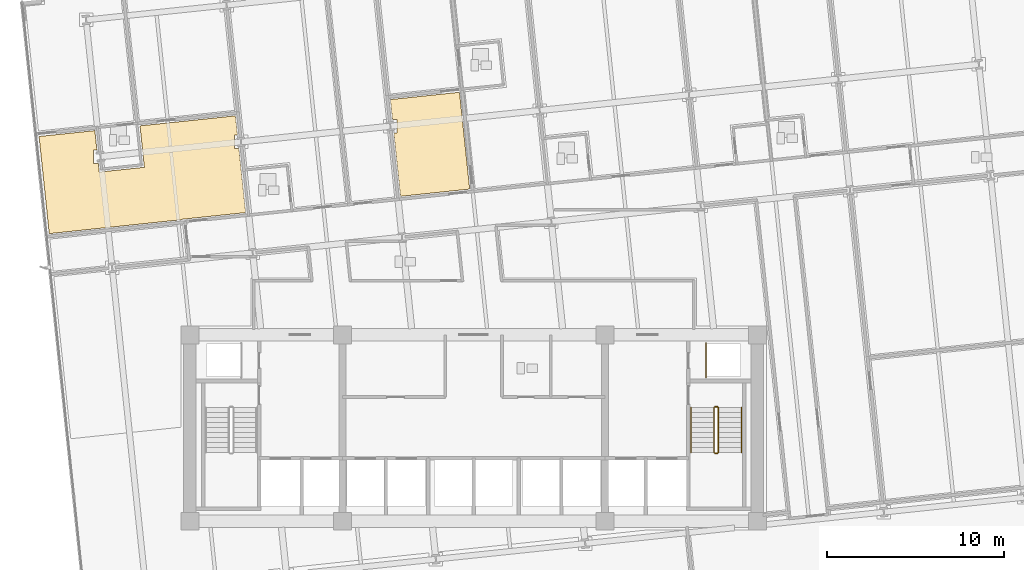
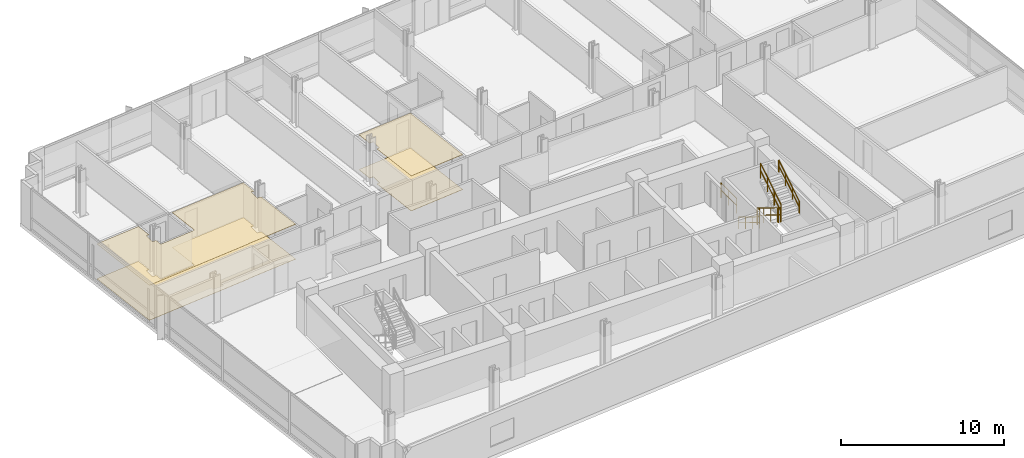
# One storey, part 16 of 19: 7 railings, 4 coverings.
"""IFC4 building model written with IfcOpenShell, lengths in metres."""

import ifcopenshell
import ifcopenshell.guid

model = None  # the IFC model being written
_history = None  # IfcOwnerHistory: only IFC2X3 demands one
_inside = {}  # id of a spatial element -> (the spatial element, [elements in it])
_under = {}  # id of a project, library or spatial element -> (it, [spatial elements below it])
_declared = {}  # id of a project -> (the project, [libraries it declares])
_typed = {}  # id of a type object -> (the type object, [elements of that type])
_made_of = {}  # id of a material, layer set ... -> (it, [elements and type objects made of it])


def new_model(schema):
    """Start an empty IFC model of exactly this schema.

    Asked for "IFC4X3", IfcOpenShell would pick the latest addendum, in which some entities
    have other attributes; the version numbers below select the first issue.
    IFC2X3 requires an IfcOwnerHistory on every rooted entity: one is made here for all.
    """
    global model, _history
    if schema == "IFC4X3":
        model = ifcopenshell.file(schema_version=(4, 3, 0, 0))
    else:
        model = ifcopenshell.file(schema=schema)
    _inside.clear()
    _under.clear()
    _declared.clear()
    _typed.clear()
    _made_of.clear()
    _history = None
    if model.schema == "IFC2X3":
        org = make("IfcOrganization", Name="unknown")
        user = make(
            "IfcPersonAndOrganization",
            ThePerson=make("IfcPerson", FamilyName="unknown"),
            TheOrganization=org,
        )
        app = make(
            "IfcApplication",
            ApplicationDeveloper=org,
            Version="unknown",
            ApplicationFullName="unknown",
            ApplicationIdentifier="unknown",
        )
        _history = make(
            "IfcOwnerHistory",
            OwningUser=user,
            OwningApplication=app,
            ChangeAction="ADDED",
            CreationDate=0,
        )
    return model


def make(cls, **values):
    """One entity of the class cls with the attributes given. An attribute that is None is left unset."""
    return model.create_entity(
        cls, **{name: value for name, value in values.items() if value is not None}
    )


def rooted(cls, **values):
    """An entity with a GlobalId (a new one), such as an element, a storey or a relation."""
    return make(cls, GlobalId=ifcopenshell.guid.new(), OwnerHistory=_history, **values)


def si_unit(unit_type, name, prefix=None):
    """IfcSIUnit, for example si_unit("LENGTHUNIT", "METRE", prefix="MILLI")."""
    return make("IfcSIUnit", UnitType=unit_type, Prefix=prefix, Name=name)


def assignment(units):
    """IfcUnitAssignment: the units of a project."""
    return None if units is None else make("IfcUnitAssignment", Units=units)


def point(xyz):
    """IfcCartesianPoint."""
    return None if xyz is None else make("IfcCartesianPoint", Coordinates=xyz)


def direction(xyz):
    """IfcDirection."""
    return None if xyz is None else make("IfcDirection", DirectionRatios=xyz)


def frame(location, z_axis=None, x_axis=None):
    """IfcAxis2Placement3D, a coordinate frame: its origin and axes. An axis left out is left unset."""
    return make(
        "IfcAxis2Placement3D",
        Location=point(location),
        Axis=direction(z_axis),
        RefDirection=direction(x_axis),
    )


def frame_2d(location, x_axis=None):
    """IfcAxis2Placement2D, a coordinate frame in the plane: its origin and x axis."""
    return make(
        "IfcAxis2Placement2D", Location=point(location), RefDirection=direction(x_axis)
    )


def origin():
    """The frame at (0, 0, 0) with its axes left unset."""
    return frame((0.0, 0.0, 0.0))


def origin_2d():
    """The frame at (0, 0) in the plane with its x axis left unset."""
    return frame_2d((0.0, 0.0))


def place(relative_to, where):
    """IfcLocalPlacement: puts the frame where relative to a parent placement (None: the world)."""
    return make(
        "IfcLocalPlacement", PlacementRelTo=relative_to, RelativePlacement=where
    )


def context(
    kind, dimensions, precision=None, world=None, true_north=None, identifier=None
):
    """IfcGeometricRepresentationContext, for example the 3D "Model" context."""
    return make(
        "IfcGeometricRepresentationContext",
        ContextIdentifier=identifier,
        ContextType=kind,
        CoordinateSpaceDimension=dimensions,
        Precision=precision,
        WorldCoordinateSystem=world,
        TrueNorth=true_north,
    )


def subcontext(parent, identifier, kind, view, scale=None):
    """IfcGeometricRepresentationSubContext, for example "Body" below "Model"."""
    return make(
        "IfcGeometricRepresentationSubContext",
        ContextIdentifier=identifier,
        ContextType=kind,
        ParentContext=parent,
        TargetScale=scale,
        TargetView=view,
    )


def project(units=None, contexts=None):
    """IfcProject with its units and contexts."""
    return rooted(
        "IfcProject",
        Name="project",
        RepresentationContexts=contexts,
        UnitsInContext=assignment(units),
    )


def spatial(cls, under=None, at=None, **own):
    """A site, building, storey or space (cls), placed at a placement, below another one or the project."""
    s = rooted(cls, ObjectPlacement=at, **own)
    if under is not None:
        _under.setdefault(under.id(), (under, []))[1].append(s)
    return s


def polyline(points):
    """IfcPolyline through the points."""
    return make("IfcPolyline", Points=[point(p) for p in points])


def profile(cls, at=None, kind="AREA", **sizes):
    """A parametric profile (cls). Its sizes go by their IFC names, for example OverallWidth=200.0."""
    return make(cls, ProfileType=kind, Position=at, **sizes)


def circle(**sizes):
    """IfcCircleProfileDef."""
    return profile("IfcCircleProfileDef", **sizes)


def outline(outer, holes=None, kind="AREA"):
    """IfcArbitraryClosedProfileDef: a profile drawn as a closed curve; with holes, ...WithVoids."""
    if holes is None:
        return make("IfcArbitraryClosedProfileDef", ProfileType=kind, OuterCurve=outer)
    return make(
        "IfcArbitraryProfileDefWithVoids",
        ProfileType=kind,
        OuterCurve=outer,
        InnerCurves=holes,
    )


def extrude(swept, where, along, depth):
    """IfcExtrudedAreaSolid: the profile swept, set in the frame where, extruded along a direction by depth."""
    return make(
        "IfcExtrudedAreaSolid",
        SweptArea=swept,
        Position=where,
        ExtrudedDirection=direction(along),
        Depth=depth,
    )


def shape(context_of_items, identifier, shape_type, items):
    """IfcShapeRepresentation: the items that make up one representation, for example the "Body"."""
    return make(
        "IfcShapeRepresentation",
        ContextOfItems=context_of_items,
        RepresentationIdentifier=identifier,
        RepresentationType=shape_type,
        Items=items,
    )


def material(Name=None, Category=None):
    """IfcMaterial."""
    return make("IfcMaterial", Name=Name, Category=Category)


def layer(
    of_material, thickness, ventilated=None, Name=None, Category=None, Priority=None
):
    """IfcMaterialLayer: one layer of a wall or slab, of a material (None: an air gap)."""
    return make(
        "IfcMaterialLayer",
        Material=of_material,
        LayerThickness=thickness,
        IsVentilated=ventilated,
        Name=Name,
        Category=Category,
        Priority=Priority,
    )


def layer_set(layers, Name=None):
    """IfcMaterialLayerSet."""
    return make("IfcMaterialLayerSet", MaterialLayers=layers, LayerSetName=Name)


def made_of(thing, what):
    """Note that an element or type object is made of a material, layer set ...; save() writes the relation."""
    if what is not None:
        _made_of.setdefault(what.id(), (what, []))[1].append(thing)
    return thing


def type_object(cls, material=None, **own):
    """A type object (cls), such as IfcWallType, which elements share."""
    return made_of(rooted(cls, **own), material)


def element(
    cls,
    number,
    at=None,
    inside=None,
    cuts=None,
    type_object=None,
    material=None,
    context=None,
    identifier="Body",
    shape_type=None,
    held_by="IfcProductDefinitionShape",
    body=None,
    shapes=None,
    **own,
):
    """One element of the class cls, such as IfcWall. Its Tag is "e" and its number.

    at: its placement. inside: the storey or other place that contains it. cuts: it is an
    opening in that element (IfcRelVoidsElement). A single representation is given by context,
    identifier, shape_type and body (its items); several are given by shapes. held_by: the class
    of the entity that holds the representations. save() writes the other relations.
    """
    e = rooted(cls, Tag="e%d" % number, ObjectPlacement=at, **own)
    if body is not None:
        shapes = [shape(context, identifier, shape_type, body)]
    if shapes is not None:
        e.Representation = make(held_by, Representations=shapes)
    if inside is not None:
        _inside.setdefault(inside.id(), (inside, []))[1].append(e)
    if cuts is not None:
        rooted(
            "IfcRelVoidsElement", RelatingBuildingElement=cuts, RelatedOpeningElement=e
        )
    if type_object is not None:
        _typed.setdefault(type_object.id(), (type_object, []))[1].append(e)
    return made_of(e, material)


def aggregate(whole, parts):
    """IfcRelAggregates: a whole, such as a stair, and the parts it consists of."""
    return rooted("IfcRelAggregates", RelatingObject=whole, RelatedObjects=parts)


def save(model, path):
    """Write the relations noted so far, then the file.

    IfcRelAggregates (storeys below a building ...), IfcRelContainedInSpatialStructure (elements
    in a storey), IfcRelDefinesByType, IfcRelAssociatesMaterial and IfcRelDeclares: one each for
    every whole, place, type object, material and project.
    """
    for whole, parts in _under.values():
        aggregate(whole, parts)
    for where, things in _inside.values():
        rooted(
            "IfcRelContainedInSpatialStructure",
            RelatedElements=things,
            RelatingStructure=where,
        )
    for kind, things in _typed.values():
        rooted("IfcRelDefinesByType", RelatedObjects=things, RelatingType=kind)
    for what, things in _made_of.values():
        rooted("IfcRelAssociatesMaterial", RelatedObjects=things, RelatingMaterial=what)
    for by, libraries in _declared.values():
        rooted("IfcRelDeclares", RelatingContext=by, RelatedDefinitions=libraries)
    model.write(path)


model = new_model("IFC4")

# Units and contexts
model_context = context("Model", 3, precision=1e-05, world=origin(), true_north=direction((0.0, 1.0)))
body_context = subcontext(model_context, "Body", "Model", "MODEL_VIEW")
ifc_project = project(units=[si_unit("LENGTHUNIT", "METRE"), si_unit("AREAUNIT", "SQUARE_METRE"), si_unit("VOLUMEUNIT", "CUBIC_METRE"), si_unit("PLANEANGLEUNIT", "RADIAN"), si_unit("MASSUNIT", "GRAM", prefix="KILO")], contexts=[model_context])

# Site, building, storey
site_placement = place(None, origin())
site = spatial("IfcSite", under=ifc_project, at=site_placement, CompositionType="ELEMENT")
building_placement = place(site_placement, origin())
building = spatial("IfcBuilding", under=site, at=building_placement, Name="Solmavex Isthmus Hotel", CompositionType="ELEMENT")
storey_placement = place(building_placement, frame((0.0, 0.0, 83.550048828125)))
storey = spatial("IfcBuildingStorey", under=building, at=storey_placement, Name="L22", CompositionType="ELEMENT", Elevation=83.550048828125)

# Coverings
ifc_material_1 = material(Name="Gypsum plasterboard lining", Category="gypsum")
ifc_layer_1 = layer(ifc_material_1, 0.030029296875)
ifc_layer_set_1 = layer_set([ifc_layer_1], Name="Gypsum plasterboard lining")
covering_type_1 = type_object("IfcCoveringType", Name="COV-CEIL-GYP", PredefinedType="CEILING", material=ifc_layer_set_1)
covering_1_placement = place(storey_placement, frame((0.0, 0.0, 2.619873046875)))
element("IfcCovering", 1, at=covering_1_placement, inside=storey, type_object=covering_type_1, Name="Suspended Acoustic Ceiling L22-ST01-FY", PredefinedType="CEILING", context=body_context, shape_type="SweptSolid", body=[
    extrude(outline(polyline([(-21.163330078125, 7.169189453125), (-21.42138671875, 7.169189453125), (-21.42138671875, 7.92919921875), (-21.2431640625, 7.92919921875), (-21.35791015625, 9.019287109375), (-24.50439453125, 8.6884765625), (-23.9287109375, 3.210693359375), (-16.43212890625, 3.99853515625), (-16.43408203125, 4.0185546875), (-12.853759765625, 4.394775390625), (-13.23291015625, 8.002197265625), (-13.4970703125, 8.002197265625), (-13.4970703125, 8.76220703125), (-13.31298828125, 8.76220703125), (-13.427490234375, 9.852783203125), (-18.811767578125, 9.286865234375), (-18.566162109375, 6.94970703125), (-21.112060546875, 6.68212890625), (-21.163330078125, 7.169189453125)])), origin(), (0.0, 0.0, 1.0), 0.030029296875),
])
covering_2_placement = place(storey_placement, frame((0.0, 0.0, 2.619873046875)))
element("IfcCovering", 2, at=covering_2_placement, inside=storey, type_object=covering_type_1, Name="Suspended Acoustic Ceiling L22-SL04-FY", PredefinedType="CEILING", context=body_context, shape_type="SweptSolid", body=[
    extrude(outline(polyline([(-4.58154296875, 9.64697265625), (-4.3173828125, 9.64697265625), (-4.3173828125, 8.886962890625), (-4.501708984375, 8.886962890625), (-4.1259765625, 5.31201171875), (-1.164306640625, 5.62353515625), (-0.57666015625, 5.68505859375), (-0.224365234375, 5.72216796875), (-0.798095703125, 11.18017578125), (-4.699462890625, 10.77001953125), (-4.58154296875, 9.64697265625)])), origin(), (0.0, 0.0, 1.0), 0.030029296875),
])
ifc_material_2 = material(Name="Travertine natural stone", Category="masonry")
ifc_layer_2 = layer(ifc_material_2, 0.02490234375)
ifc_layer_set_2 = layer_set([ifc_layer_2], Name="Travertine natural stone")
covering_type_2 = type_object("IfcCoveringType", Name="COV-FLOR-STN", PredefinedType="FLOORING", material=ifc_layer_set_2)
covering_3_placement = place(storey_placement, origin())
element("IfcCovering", 3, at=covering_3_placement, inside=storey, type_object=covering_type_2, Name="Stone and Timber Floor Finish L22-ST01-FY", PredefinedType="FLOORING", context=body_context, shape_type="SweptSolid", body=[
    extrude(outline(polyline([(-21.163330078125, 7.169189453125), (-21.42138671875, 7.169189453125), (-21.42138671875, 7.92919921875), (-21.2431640625, 7.92919921875), (-21.35791015625, 9.019287109375), (-24.50439453125, 8.6884765625), (-23.9287109375, 3.210693359375), (-16.43212890625, 3.99853515625), (-16.43408203125, 4.0185546875), (-12.853759765625, 4.394775390625), (-13.23291015625, 8.002197265625), (-13.4970703125, 8.002197265625), (-13.4970703125, 8.76220703125), (-13.31298828125, 8.76220703125), (-13.427490234375, 9.852783203125), (-18.811767578125, 9.286865234375), (-18.566162109375, 6.94970703125), (-21.112060546875, 6.68212890625), (-21.163330078125, 7.169189453125)])), origin(), (0.0, 0.0, 1.0), 0.02490234375),
])
covering_4_placement = place(storey_placement, origin())
element("IfcCovering", 4, at=covering_4_placement, inside=storey, type_object=covering_type_2, Name="Stone and Timber Floor Finish L22-SL04-FY", PredefinedType="FLOORING", context=body_context, shape_type="SweptSolid", body=[
    extrude(outline(polyline([(-4.58154296875, 9.64697265625), (-4.3173828125, 9.64697265625), (-4.3173828125, 8.886962890625), (-4.501708984375, 8.886962890625), (-4.1259765625, 5.31201171875), (-1.164306640625, 5.62353515625), (-0.57666015625, 5.68505859375), (-0.224365234375, 5.72216796875), (-0.798095703125, 11.18017578125), (-4.699462890625, 10.77001953125), (-4.58154296875, 9.64697265625)])), origin(), (0.0, 0.0, 1.0), 0.02490234375),
])

# Railings
ifc_material_3 = material(Name="Clear low-E laminated glass", Category="glass")
ifc_layer_3 = layer(ifc_material_3, 0.080078125)
ifc_layer_set_3 = layer_set([ifc_layer_3], Name="Clear low-E laminated glass")
railing_type_1 = type_object("IfcRailingType", Name="RAIL-ATRIUM-1120", PredefinedType="BALUSTRADE", material=ifc_layer_set_3)
railing_1_placement = place(storey_placement, frame((13.10009765625, -4.89990234375, 0.0)))
element("IfcRailing", 5, at=railing_1_placement, inside=storey, type_object=railing_type_1, Name="Guardrail Balustrade L22-RSE-01", PredefinedType="BALUSTRADE", context=body_context, shape_type="SweptSolid", body=[
    extrude(circle(Radius=0.02392578125, at=origin_2d()), frame((0.0, 0.0, 1.1259765625), z_axis=(0.0, 1.0, 0.0), x_axis=(-1.0, 0.0, 0.0)), (0.0, 0.0, 1.0), 1.949951171875),
    extrude(circle(Radius=0.02392578125, at=origin_2d()), frame((0.0, 0.0, 0.574951171875), z_axis=(0.0, 1.0, 0.0), x_axis=(-1.0, 0.0, 0.0)), (0.0, 0.0, 1.0), 1.949951171875),
    extrude(circle(Radius=0.02099609375, at=origin_2d()), origin(), (0.0, 0.0, 1.0), 1.101806640625),
    extrude(circle(Radius=0.02099609375, at=origin_2d()), frame((0.0, 0.97509765625, 0.0)), (0.0, 0.0, 1.0), 1.101806640625),
    extrude(circle(Radius=0.02099609375, at=origin_2d()), frame((0.0, 1.949951171875, 0.0)), (0.0, 0.0, 1.0), 1.101806640625),
])
ifc_material_4 = material(Name="Stainless steel 316", Category="steel")
ifc_layer_4 = layer(ifc_material_4, 0.06005859375)
ifc_layer_set_4 = layer_set([ifc_layer_4], Name="Stainless steel 316")
railing_type_2 = type_object("IfcRailingType", Name="RAIL-STAIR-GD", PredefinedType="GUARDRAIL", material=ifc_layer_set_4)
railing_2_placement = place(storey_placement, frame((13.550048828125, -6.60009765625, 0.17236328125)))
element("IfcRailing", 6, at=railing_2_placement, inside=storey, type_object=railing_type_2, Name="L22 ST-2 stair guard 1", PredefinedType="GUARDRAIL", context=body_context, shape_type="SweptSolid", body=[
    extrude(circle(Radius=0.02392578125, at=origin_2d()), frame((0.0, 0.0, 1.09619140625), z_axis=(0.0, -0.851400495292, 0.524516154772), x_axis=(1.0, 0.0, 0.0)), (0.0, 0.0, 1.0), 2.9599609375),
    extrude(circle(Radius=0.02392578125, at=origin_2d()), frame((0.0, 0.0, 0.56005859375), z_axis=(0.0, -0.851400495292, 0.524516154772), x_axis=(1.0, 0.0, 0.0)), (0.0, 0.0, 1.0), 2.9599609375),
    extrude(circle(Radius=0.02099609375, at=origin_2d()), origin(), (0.0, 0.0, 1.0), 1.072021484375),
    extrude(circle(Radius=0.02099609375, at=origin_2d()), frame((0.0, -0.840087890625, 0.517578125)), (0.0, 0.0, 1.0), 1.072021484375),
    extrude(circle(Radius=0.02099609375, at=origin_2d()), frame((0.0, -1.679931640625, 1.034912109375)), (0.0, 0.0, 1.0), 1.072021484375),
    extrude(circle(Radius=0.02099609375, at=origin_2d()), frame((0.0, -2.52001953125, 1.552490234375)), (0.0, 0.0, 1.0), 1.072021484375),
])
railing_3_placement = place(storey_placement, frame((13.60009765625, -9.169921875, 1.724853515625)))
element("IfcRailing", 7, at=railing_3_placement, inside=storey, type_object=railing_type_2, Name="L22 ST-2 stair guard 2", PredefinedType="GUARDRAIL", context=body_context, shape_type="SweptSolid", body=[
    extrude(circle(Radius=0.02392578125, at=origin_2d()), frame((0.0, 0.0, 1.09619140625), z_axis=(1.0, 0.0, 0.0), x_axis=(0.0, 1.0, 0.0)), (0.0, 0.0, 1.0), 0.14990234375),
    extrude(circle(Radius=0.02392578125, at=origin_2d()), frame((0.0, 0.0, 0.56005859375), z_axis=(1.0, 0.0, 0.0), x_axis=(0.0, 1.0, 0.0)), (0.0, 0.0, 1.0), 0.14990234375),
    extrude(circle(Radius=0.02099609375, at=origin_2d()), origin(), (0.0, 0.0, 1.0), 1.072021484375),
    extrude(circle(Radius=0.02099609375, at=origin_2d()), frame((0.14990234375, 0.0, 0.0)), (0.0, 0.0, 1.0), 1.072021484375),
])
railing_4_placement = place(storey_placement, frame((13.800048828125, -9.1201171875, 1.8974609375)))
element("IfcRailing", 8, at=railing_4_placement, inside=storey, type_object=railing_type_2, Name="L22 ST-2 stair guard 3", PredefinedType="GUARDRAIL", context=body_context, shape_type="SweptSolid", body=[
    extrude(circle(Radius=0.02392578125, at=origin_2d()), frame((0.0, 0.0, 1.09619140625), z_axis=(0.0, 0.851400495292, 0.524516154772), x_axis=(-1.0, 0.0, 0.0)), (0.0, 0.0, 1.0), 2.9599609375),
    extrude(circle(Radius=0.02392578125, at=origin_2d()), frame((0.0, 0.0, 0.56005859375), z_axis=(0.0, 0.851400495292, 0.524516154772), x_axis=(-1.0, 0.0, 0.0)), (0.0, 0.0, 1.0), 2.9599609375),
    extrude(circle(Radius=0.02099609375, at=origin_2d()), origin(), (0.0, 0.0, 1.0), 1.072021484375),
    extrude(circle(Radius=0.02099609375, at=origin_2d()), frame((0.0, 0.840087890625, 0.517578125)), (0.0, 0.0, 1.0), 1.072021484375),
    extrude(circle(Radius=0.02099609375, at=origin_2d()), frame((0.0, 1.679931640625, 1.034912109375)), (0.0, 0.0, 1.0), 1.072021484375),
    extrude(circle(Radius=0.02099609375, at=origin_2d()), frame((0.0, 2.52001953125, 1.552490234375)), (0.0, 0.0, 1.0), 1.072021484375),
])
railing_5_placement = place(storey_placement, frame((13.60009765625, -6.550048828125, 0.0)))
element("IfcRailing", 9, at=railing_5_placement, inside=storey, type_object=railing_type_2, Name="L22 ST-2 stair guard 4", PredefinedType="GUARDRAIL", context=body_context, shape_type="SweptSolid", body=[
    extrude(circle(Radius=0.02392578125, at=origin_2d()), frame((0.0, 0.0, 1.09619140625), z_axis=(1.0, 0.0, 0.0), x_axis=(0.0, 1.0, 0.0)), (0.0, 0.0, 1.0), 0.14990234375),
    extrude(circle(Radius=0.02392578125, at=origin_2d()), frame((0.0, 0.0, 0.56005859375), z_axis=(1.0, 0.0, 0.0), x_axis=(0.0, 1.0, 0.0)), (0.0, 0.0, 1.0), 0.14990234375),
    extrude(circle(Radius=0.02099609375, at=origin_2d()), origin(), (0.0, 0.0, 1.0), 1.072021484375),
    extrude(circle(Radius=0.02099609375, at=origin_2d()), frame((0.14990234375, 0.0, 0.0)), (0.0, 0.0, 1.0), 1.072021484375),
])
ifc_layer_5 = layer(ifc_material_4, 0.050048828125)
ifc_layer_set_5 = layer_set([ifc_layer_5], Name="Stainless steel 316")
railing_type_3 = type_object("IfcRailingType", Name="RAIL-STAIR-HR", PredefinedType="HANDRAIL", material=ifc_layer_set_5)
railing_6_placement = place(storey_placement, frame((12.25, -6.60009765625, 0.17236328125)))
element("IfcRailing", 10, at=railing_6_placement, inside=storey, type_object=railing_type_3, Name="L22 ST-2 stair handrail 1", PredefinedType="HANDRAIL", context=body_context, shape_type="SweptSolid", body=[
    extrude(circle(Radius=0.02392578125, at=origin_2d()), frame((0.0, 0.0, 0.8759765625), z_axis=(0.0, -0.851400495292, 0.524516154772), x_axis=(1.0, 0.0, 0.0)), (0.0, 0.0, 1.0), 2.9599609375),
    extrude(circle(Radius=0.02392578125, at=origin_2d()), frame((0.0, 0.0, 0.449951171875), z_axis=(0.0, -0.851400495292, 0.524516154772), x_axis=(1.0, 0.0, 0.0)), (0.0, 0.0, 1.0), 2.9599609375),
    extrude(circle(Radius=0.02099609375, at=origin_2d()), origin(), (0.0, 0.0, 1.0), 0.851806640625),
    extrude(circle(Radius=0.02099609375, at=origin_2d()), frame((0.0, -0.840087890625, 0.517578125)), (0.0, 0.0, 1.0), 0.851806640625),
    extrude(circle(Radius=0.02099609375, at=origin_2d()), frame((0.0, -1.679931640625, 1.034912109375)), (0.0, 0.0, 1.0), 0.851806640625),
    extrude(circle(Radius=0.02099609375, at=origin_2d()), frame((0.0, -2.52001953125, 1.552490234375)), (0.0, 0.0, 1.0), 0.851806640625),
])
railing_7_placement = place(storey_placement, frame((15.10009765625, -9.1201171875, 1.8974609375)))
element("IfcRailing", 11, at=railing_7_placement, inside=storey, type_object=railing_type_3, Name="L22 ST-2 stair handrail 2", PredefinedType="HANDRAIL", context=body_context, shape_type="SweptSolid", body=[
    extrude(circle(Radius=0.02392578125, at=origin_2d()), frame((0.0, 0.0, 0.8759765625), z_axis=(0.0, 0.851400495292, 0.524516154772), x_axis=(-1.0, 0.0, 0.0)), (0.0, 0.0, 1.0), 2.9599609375),
    extrude(circle(Radius=0.02392578125, at=origin_2d()), frame((0.0, 0.0, 0.449951171875), z_axis=(0.0, 0.851400495292, 0.524516154772), x_axis=(-1.0, 0.0, 0.0)), (0.0, 0.0, 1.0), 2.9599609375),
    extrude(circle(Radius=0.02099609375, at=origin_2d()), origin(), (0.0, 0.0, 1.0), 0.851806640625),
    extrude(circle(Radius=0.02099609375, at=origin_2d()), frame((0.0, 0.840087890625, 0.517578125)), (0.0, 0.0, 1.0), 0.851806640625),
    extrude(circle(Radius=0.02099609375, at=origin_2d()), frame((0.0, 1.679931640625, 1.034912109375)), (0.0, 0.0, 1.0), 0.851806640625),
    extrude(circle(Radius=0.02099609375, at=origin_2d()), frame((0.0, 2.52001953125, 1.552490234375)), (0.0, 0.0, 1.0), 0.851806640625),
])

save(model, "model.ifc")
